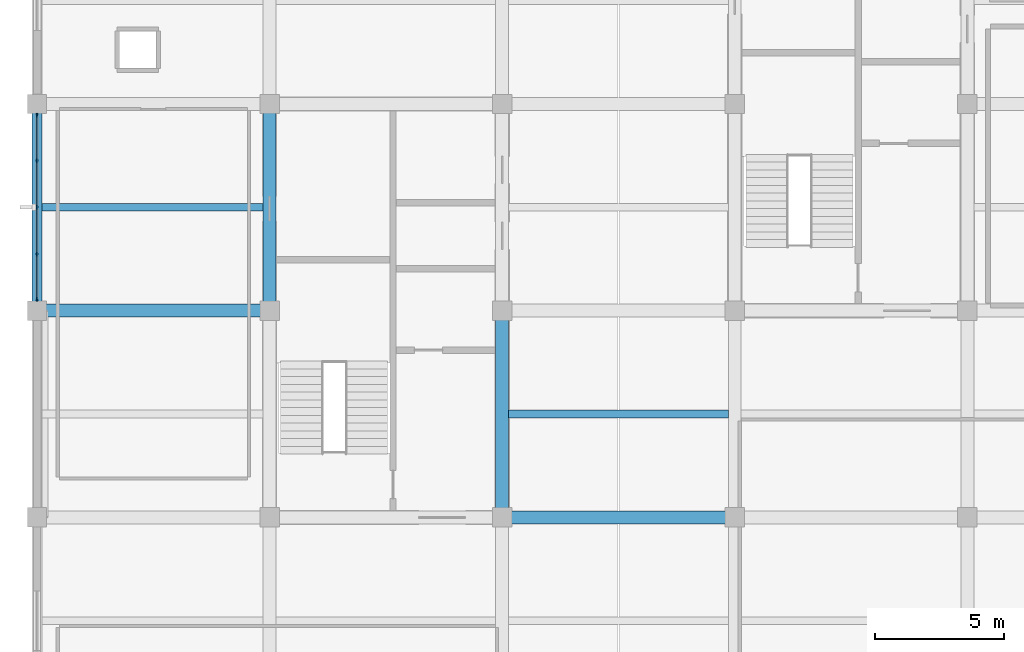
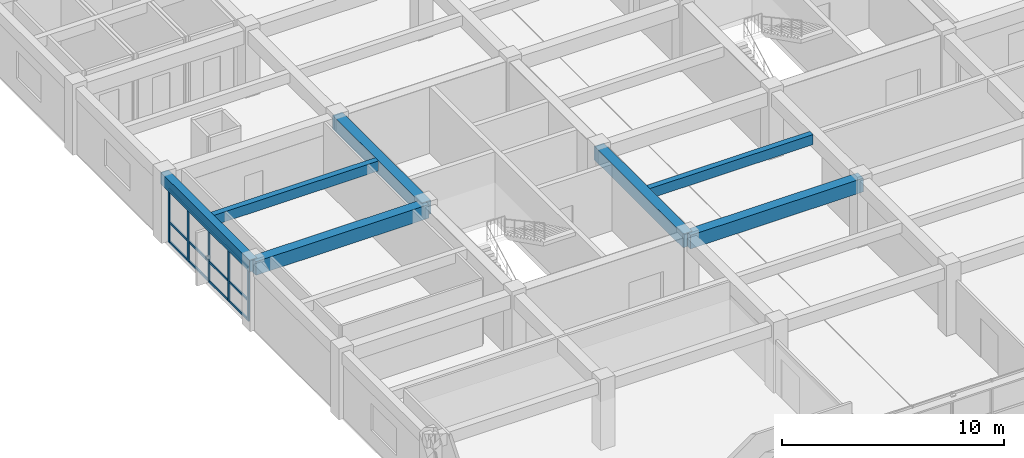
# One storey, part 4 of 15: 8 members, 7 beams, 1 element without a shape of its own.
"""IFC4 building model written with IfcOpenShell, lengths in metres."""

from ifc_helpers import new_model, si_unit, direction, frame, origin, origin_2d, place, context, subcontext, project, spatial, rectangle, extrude, material, material_profile, profile_set, type_object, element, aggregate, save


model = new_model("IFC4")

# Units and contexts
model_context = context("Model", 3, precision=1e-05, world=origin(), true_north=direction((0.0, 1.0)))
body_context = subcontext(model_context, "Body", "Model", "MODEL_VIEW")
ifc_project = project(units=[si_unit("LENGTHUNIT", "METRE"), si_unit("AREAUNIT", "SQUARE_METRE"), si_unit("VOLUMEUNIT", "CUBIC_METRE"), si_unit("PLANEANGLEUNIT", "RADIAN"), si_unit("MASSUNIT", "GRAM", prefix="KILO")], contexts=[model_context])

# Site, building, storey
site_placement = place(None, origin())
site = spatial("IfcSite", under=ifc_project, at=site_placement, CompositionType="ELEMENT")
building_placement = place(site_placement, origin())
building = spatial("IfcBuilding", under=site, at=building_placement, Name="Zaverband Oceanarium and Marine Research Institute", CompositionType="ELEMENT")
storey_placement = place(building_placement, frame((0.0, 0.0, 53.10009765625)))
storey = spatial("IfcBuildingStorey", under=building, at=storey_placement, Name="L13", CompositionType="ELEMENT", Elevation=53.10009765625)

# Beams
ifc_material_1 = material(Name="Concrete C40/50", Category="concrete")
ifc_material_profile_1 = material_profile(ifc_material_1, rectangle(XDim=0.5, YDim=0.75, at=origin_2d()), Name="RC500x750")
ifc_profile_set_1 = profile_set([ifc_material_profile_1], Name="Concrete C40/50")
beam_type_1 = type_object("IfcBeamType", Name="BM-500x750", PredefinedType="BEAM", material=ifc_profile_set_1)
for number, where, z_axis, x_axis, name in (
    (1, (27.0, 80.0, 3.27490234375), (1.0, 0.0, 0.0), (0.0, 1.0, 0.0), "Primary floor girder BM-500x750"),
    (2, (9.0, 88.0, 3.27490234375), (1.0, 0.0, 0.0), (0.0, 1.0, 0.0), "Primary floor girder BM-500x750"),
):
    element("IfcBeam", number, at=place(storey_placement, frame(where, z_axis=z_axis, x_axis=x_axis)), inside=storey, type_object=beam_type_1, Name=name, PredefinedType="BEAM", context=body_context, shape_type="SweptSolid", body=[
        extrude(rectangle(XDim=0.5, YDim=0.75, at=origin_2d()), origin(), (0.0, 0.0, 1.0), 9.0),
    ])
for number, where, z_axis, x_axis, name in (
    (3, (18.0, 88.0, 3.27490234375), (0.0, 1.0, 0.0), (-1.0, 0.0, 0.0), "Primary floor girder BM-500x750"),
    (4, (27.0, 80.0, 3.27490234375), (0.0, 1.0, 0.0), (-1.0, 0.0, 0.0), "Primary floor girder BM-500x750"),
):
    element("IfcBeam", number, at=place(storey_placement, frame(where, z_axis=z_axis, x_axis=x_axis)), inside=storey, type_object=beam_type_1, Name=name, PredefinedType="BEAM", context=body_context, shape_type="SweptSolid", body=[
        extrude(rectangle(XDim=0.5, YDim=0.75, at=origin_2d()), origin(), (0.0, 0.0, 1.0), 8.0),
    ])
ifc_material_profile_2 = material_profile(ifc_material_1, rectangle(XDim=0.300048828125, YDim=0.550048828125, at=origin_2d()), Name="RC300x550")
ifc_profile_set_2 = profile_set([ifc_material_profile_2], Name="Concrete C40/50")
beam_type_2 = type_object("IfcBeamType", Name="JST-300x550", PredefinedType="JOIST", material=ifc_profile_set_2)
beam_1_placement = place(storey_placement, frame((9.199951171875, 92.0, 3.375), z_axis=(1.0, 0.0, 0.0), x_axis=(0.0, 1.0, 0.0)))
element("IfcBeam", 5, at=beam_1_placement, inside=storey, type_object=beam_type_2, Name="Secondary floor joist JST-300x550", PredefinedType="JOIST", context=body_context, shape_type="SweptSolid", body=[
    extrude(rectangle(XDim=0.300048828125, YDim=0.550048828125, at=origin_2d()), origin(), (0.0, 0.0, 1.0), 8.550048828125),
])
beam_2_placement = place(storey_placement, frame((27.25, 84.0, 3.375), z_axis=(1.0, 0.0, 0.0), x_axis=(0.0, 1.0, 0.0)))
element("IfcBeam", 6, at=beam_2_placement, inside=storey, type_object=beam_type_2, Name="Secondary floor joist JST-300x550", PredefinedType="JOIST", context=body_context, shape_type="SweptSolid", body=[
    extrude(rectangle(XDim=0.300048828125, YDim=0.550048828125, at=origin_2d()), origin(), (0.0, 0.0, 1.0), 8.5),
])

# Curtain wall, members
ifc_material_2 = material(Name="Thermally broken anodized aluminium and solar-control glass", Category="aluminium")
curtain_wall_type = type_object("IfcCurtainWallType", Name="CW-UNIT-1800", PredefinedType="NOTDEFINED", material=ifc_material_2)
curtain_wall_placement = place(storey_placement, origin())
curtain_wall = element("IfcCurtainWall", 7, at=curtain_wall_placement, inside=storey, type_object=curtain_wall_type, Name="Unitised glazed curtain wall CW-146", PredefinedType="NOTDEFINED")
ifc_material_3 = material(Name="Thermally broken anodized aluminium", Category="aluminium")
ifc_material_profile_3 = material_profile(ifc_material_3, rectangle(XDim=0.070068359375, YDim=0.14990234375, at=origin_2d()), Name="AL-MUL-70x150")
ifc_profile_set_3 = profile_set([ifc_material_profile_3], Name="Thermally broken anodized aluminium")
member_type_1 = type_object("IfcMemberType", Name="MUL-70x150", PredefinedType="MULLION", material=ifc_profile_set_3)
member_1_placement = place(storey_placement, frame((9.0, 88.43994140625, 0.0), z_axis=(0.0, 0.0, 1.0), x_axis=(1.0, 0.0, 0.0)))
member_1 = element("IfcMember", 8, at=member_1_placement, type_object=member_type_1, Name="Curtain wall vertical mullion MUL-70x150", PredefinedType="MULLION", context=body_context, shape_type="SweptSolid", body=[
    extrude(rectangle(XDim=0.070068359375, YDim=0.14990234375, at=origin_2d()), origin(), (0.0, 0.0, 1.0), 2.97998046875),
])
member_2_placement = place(storey_placement, frame((9.0, 90.18994140625, 0.0), z_axis=(0.0, 0.0, 1.0), x_axis=(1.0, 0.0, 0.0)))
member_2 = element("IfcMember", 9, at=member_2_placement, type_object=member_type_1, Name="Curtain wall vertical mullion MUL-70x150", PredefinedType="MULLION", context=body_context, shape_type="SweptSolid", body=[
    extrude(rectangle(XDim=0.070068359375, YDim=0.14990234375, at=origin_2d()), origin(), (0.0, 0.0, 1.0), 2.97998046875),
])
member_3_placement = place(storey_placement, frame((9.0, 92.0, 0.0), z_axis=(0.0, 0.0, 1.0), x_axis=(1.0, 0.0, 0.0)))
member_3 = element("IfcMember", 10, at=member_3_placement, type_object=member_type_1, Name="Curtain wall vertical mullion MUL-70x150", PredefinedType="MULLION", context=body_context, shape_type="SweptSolid", body=[
    extrude(rectangle(XDim=0.070068359375, YDim=0.14990234375, at=origin_2d()), origin(), (0.0, 0.0, 1.0), 2.97998046875),
])
member_4_placement = place(storey_placement, frame((9.0, 93.81005859375, 0.0), z_axis=(0.0, 0.0, 1.0), x_axis=(1.0, 0.0, 0.0)))
member_4 = element("IfcMember", 11, at=member_4_placement, type_object=member_type_1, Name="Curtain wall vertical mullion MUL-70x150", PredefinedType="MULLION", context=body_context, shape_type="SweptSolid", body=[
    extrude(rectangle(XDim=0.070068359375, YDim=0.14990234375, at=origin_2d()), origin(), (0.0, 0.0, 1.0), 2.97998046875),
])
member_5_placement = place(storey_placement, frame((9.0, 95.56005859375, 0.0), z_axis=(0.0, 0.0, 1.0), x_axis=(1.0, 0.0, 0.0)))
member_5 = element("IfcMember", 12, at=member_5_placement, type_object=member_type_1, Name="Curtain wall vertical mullion MUL-70x150", PredefinedType="MULLION", context=body_context, shape_type="SweptSolid", body=[
    extrude(rectangle(XDim=0.070068359375, YDim=0.14990234375, at=origin_2d()), origin(), (0.0, 0.0, 1.0), 2.97998046875),
])

# Beam
ifc_material_profile_4 = material_profile(ifc_material_1, rectangle(XDim=0.39990234375, YDim=0.64990234375, at=origin_2d()), Name="RC400x650")
ifc_profile_set_4 = profile_set([ifc_material_profile_4], Name="Concrete C40/50")
beam_type_3 = type_object("IfcBeamType", Name="SPN-400x650", PredefinedType="SPANDREL", material=ifc_profile_set_4)
beam_3_placement = place(storey_placement, frame((9.0, 88.0, 3.324951171875), z_axis=(0.0, 1.0, 0.0), x_axis=(-1.0, 0.0, 0.0)))
element("IfcBeam", 13, at=beam_3_placement, inside=storey, type_object=beam_type_3, Name="Perimeter spandrel beam SPN-400x650", PredefinedType="SPANDREL", context=body_context, shape_type="SweptSolid", body=[
    extrude(rectangle(XDim=0.39990234375, YDim=0.64990234375, at=origin_2d()), origin(), (0.0, 0.0, 1.0), 8.0),
])

# Member
ifc_material_profile_5 = material_profile(ifc_material_3, rectangle(XDim=0.070068359375, YDim=0.114990234375, at=origin_2d()), Name="AL-TRN-70x115")
ifc_profile_set_5 = profile_set([ifc_material_profile_5], Name="Thermally broken anodized aluminium")
member_type_2 = type_object("IfcMemberType", Name="TRN-70x115", PredefinedType="USERDEFINED", material=ifc_profile_set_5)
member_6_placement = place(storey_placement, frame((9.0, 88.43994140625, 0.0498046875), z_axis=(0.0, 1.0, 0.0), x_axis=(-1.0, 0.0, 0.0)))
member_6 = element("IfcMember", 14, at=member_6_placement, type_object=member_type_2, Name="Curtain wall horizontal transom TRN-70x115", ObjectType="TRANSOM", PredefinedType="USERDEFINED", context=body_context, shape_type="SweptSolid", body=[
    extrude(rectangle(XDim=0.070068359375, YDim=0.114990234375, at=origin_2d()), origin(), (0.0, 0.0, 1.0), 7.1201171875),
])

member_7_placement = place(storey_placement, frame((9.0, 88.43994140625, 1.122802734375), z_axis=(0.0, 1.0, 0.0), x_axis=(-1.0, 0.0, 0.0)))
member_7 = element("IfcMember", 15, at=member_7_placement, type_object=member_type_2, Name="Curtain wall horizontal transom TRN-70x115", ObjectType="TRANSOM", PredefinedType="USERDEFINED", context=body_context, shape_type="SweptSolid", body=[
    extrude(rectangle(XDim=0.070068359375, YDim=0.114990234375, at=origin_2d()), origin(), (0.0, 0.0, 1.0), 7.1201171875),
])

member_8_placement = place(storey_placement, frame((9.0, 88.43994140625, 2.929931640625), z_axis=(0.0, 1.0, 0.0), x_axis=(-1.0, 0.0, 0.0)))
member_8 = element("IfcMember", 16, at=member_8_placement, type_object=member_type_2, Name="Curtain wall horizontal transom TRN-70x115", ObjectType="TRANSOM", PredefinedType="USERDEFINED", context=body_context, shape_type="SweptSolid", body=[
    extrude(rectangle(XDim=0.070068359375, YDim=0.114990234375, at=origin_2d()), origin(), (0.0, 0.0, 1.0), 7.1201171875),
])

aggregate(curtain_wall, [member_1, member_2, member_3, member_4, member_5, member_6, member_7, member_8])

save(model, "model.ifc")
